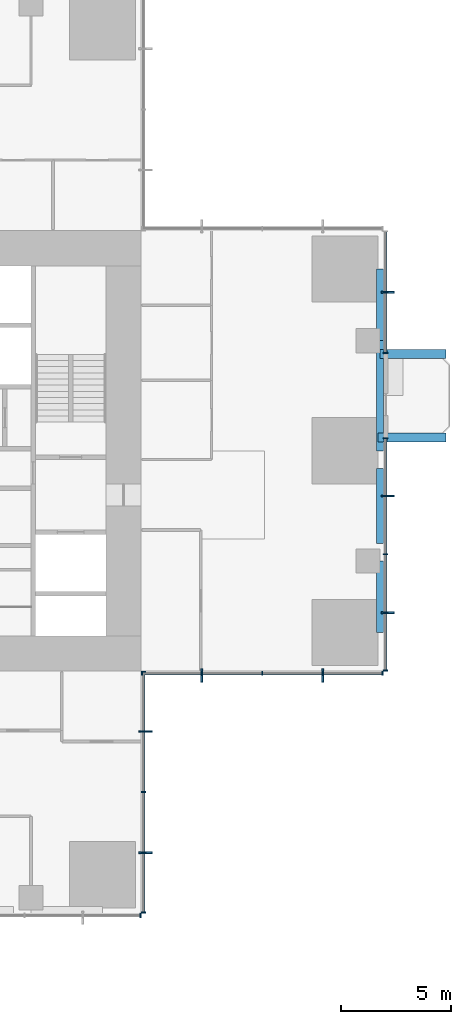
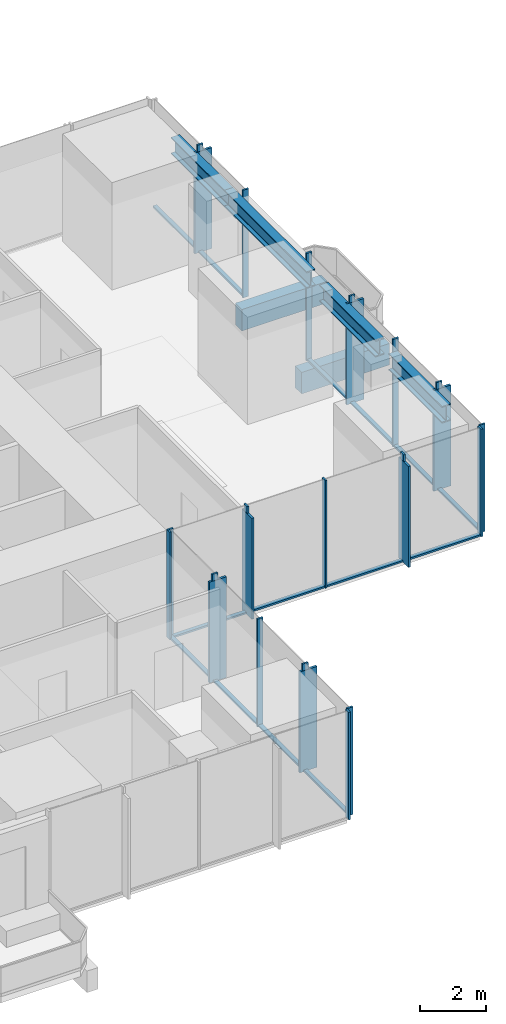
# One storey, part 4 of 13: 39 members, 6 beams, 5 elements without a shape of their own.
"""IFC4 building model written with IfcOpenShell, lengths in metres."""

from ifc_helpers import new_model, si_unit, direction, frame, origin, origin_2d, place, context, subcontext, project, spatial, rectangle, i_section, extrude, material, material_profile, profile_set, type_object, element, aggregate, save


model = new_model("IFC4")

# Units and contexts
model_context = context("Model", 3, precision=1e-05, world=origin(), true_north=direction((0.0, 1.0)))
body_context = subcontext(model_context, "Body", "Model", "MODEL_VIEW")
ifc_project = project(units=[si_unit("LENGTHUNIT", "METRE"), si_unit("AREAUNIT", "SQUARE_METRE"), si_unit("VOLUMEUNIT", "CUBIC_METRE"), si_unit("PLANEANGLEUNIT", "RADIAN"), si_unit("MASSUNIT", "GRAM", prefix="KILO")], contexts=[model_context])

# Site, building, storey
site_placement = place(None, origin())
site = spatial("IfcSite", under=ifc_project, at=site_placement, CompositionType="ELEMENT")
building_placement = place(site_placement, origin())
building = spatial("IfcBuilding", under=site, at=building_placement, Name="Svetlomir Tower", CompositionType="ELEMENT")
storey_placement = place(building_placement, frame((0.0, 0.0, 132.5)))
storey = spatial("IfcBuildingStorey", under=building, at=storey_placement, Name="L31", CompositionType="ELEMENT", Elevation=132.5)

# Beams
ifc_material_1 = material(Name="Concrete C60/75", Category="concrete")
ifc_material_profile_1 = material_profile(ifc_material_1, rectangle(XDim=0.39990234375, YDim=0.800048828125, at=origin_2d()), Name="RC 400x800")
ifc_profile_set_1 = profile_set([ifc_material_profile_1], Name="Concrete C60/75")
beam_type_1 = type_object("IfcBeamType", Name="BALCONY RIB RC 400x800", PredefinedType="BEAM", material=ifc_profile_set_1)
beam_1_placement = place(storey_placement, frame((41.75, 21.60009765625, -0.64990234375), z_axis=(1.0, 0.0, 0.0), x_axis=(0.0, 1.0, 0.0)))
element("IfcBeam", 1, at=beam_1_placement, inside=storey, type_object=beam_type_1, Name="Balcony rib E 1 L31", PredefinedType="BEAM", context=body_context, shape_type="SweptSolid", body=[
    extrude(rectangle(XDim=0.39990234375, YDim=0.800048828125, at=origin_2d()), origin(), (0.0, 0.0, 1.0), 3.10009765625),
])
beam_2_placement = place(storey_placement, frame((41.85009765625, 25.39990234375, -0.64990234375), z_axis=(1.0, 0.0, 0.0), x_axis=(0.0, 1.0, 0.0)))
element("IfcBeam", 2, at=beam_2_placement, inside=storey, type_object=beam_type_1, Name="Balcony rib E 2 L31", PredefinedType="BEAM", context=body_context, shape_type="SweptSolid", body=[
    extrude(rectangle(XDim=0.39990234375, YDim=0.800048828125, at=origin_2d()), origin(), (0.0, 0.0, 1.0), 3.0),
])

# Curtain wall, members
ifc_material_2 = material(Name="Bronze anodised aluminium curtain wall", Category="aluminium")
curtain_wall_type = type_object("IfcCurtainWallType", Name="CURTAIN WALL CW1 TOWER OFFICE", PredefinedType="NOTDEFINED", material=ifc_material_2)
curtain_wall_1_placement = place(storey_placement, origin())
curtain_wall_1 = element("IfcCurtainWall", 3, at=curtain_wall_1_placement, inside=storey, type_object=curtain_wall_type, Name="Curtain wall CW1 L31", PredefinedType="NOTDEFINED")
ifc_material_3 = material(Name="Bronze anodised aluminium", Category="aluminium")
ifc_material_profile_2 = material_profile(ifc_material_3, rectangle(XDim=0.080078125, YDim=0.60009765625, at=origin_2d()), Name="FIN 80x600")
ifc_profile_set_2 = profile_set([ifc_material_profile_2], Name="Bronze anodised aluminium 6063-T6")
member_type_1 = type_object("IfcMemberType", Name="BRONZE FIN 80x600", PredefinedType="USERDEFINED", material=ifc_profile_set_2)
member_1_placement = place(storey_placement, frame((31.199951171875, 2.75, 0.0), z_axis=(0.0, 0.0, 1.0), x_axis=(0.0, 1.0, 0.0)))
member_1 = element("IfcMember", 4, at=member_1_placement, type_object=member_type_1, Name="Bronze fin L31", ObjectType="FIN", PredefinedType="USERDEFINED", context=body_context, shape_type="SweptSolid", body=[
    extrude(rectangle(XDim=0.080078125, YDim=0.60009765625, at=origin_2d()), origin(), (0.0, 0.0, 1.0), 3.75),
])
member_2_placement = place(storey_placement, frame((31.199951171875, 8.25, 0.0), z_axis=(0.0, 0.0, 1.0), x_axis=(0.0, 1.0, 0.0)))
member_2 = element("IfcMember", 5, at=member_2_placement, type_object=member_type_1, Name="Bronze fin L31", ObjectType="FIN", PredefinedType="USERDEFINED", context=body_context, shape_type="SweptSolid", body=[
    extrude(rectangle(XDim=0.080078125, YDim=0.60009765625, at=origin_2d()), origin(), (0.0, 0.0, 1.0), 3.75),
])

curtain_wall_2_placement = place(storey_placement, origin())
curtain_wall_2 = element("IfcCurtainWall", 6, at=curtain_wall_2_placement, inside=storey, type_object=curtain_wall_type, Name="Curtain wall CW1 L31", PredefinedType="NOTDEFINED")
member_3_placement = place(storey_placement, frame((33.75, 10.800048828125, 0.0), z_axis=(0.0, 0.0, 1.0), x_axis=(1.0, 0.0, 0.0)))
member_3 = element("IfcMember", 7, at=member_3_placement, type_object=member_type_1, Name="Bronze fin L31", ObjectType="FIN", PredefinedType="USERDEFINED", context=body_context, shape_type="SweptSolid", body=[
    extrude(rectangle(XDim=0.080078125, YDim=0.60009765625, at=origin_2d()), origin(), (0.0, 0.0, 1.0), 3.75),
])
member_4_placement = place(storey_placement, frame((39.25, 10.800048828125, 0.0), z_axis=(0.0, 0.0, 1.0), x_axis=(1.0, 0.0, 0.0)))
member_4 = element("IfcMember", 8, at=member_4_placement, type_object=member_type_1, Name="Bronze fin L31", ObjectType="FIN", PredefinedType="USERDEFINED", context=body_context, shape_type="SweptSolid", body=[
    extrude(rectangle(XDim=0.080078125, YDim=0.60009765625, at=origin_2d()), origin(), (0.0, 0.0, 1.0), 3.75),
])

curtain_wall_3_placement = place(storey_placement, origin())
curtain_wall_3 = element("IfcCurtainWall", 9, at=curtain_wall_3_placement, inside=storey, type_object=curtain_wall_type, Name="Curtain wall CW1 L31", PredefinedType="NOTDEFINED")
member_5_placement = place(storey_placement, frame((42.199951171875, 13.64990234375, 0.0), z_axis=(0.0, 0.0, 1.0), x_axis=(0.0, 1.0, 0.0)))
member_5 = element("IfcMember", 10, at=member_5_placement, type_object=member_type_1, Name="Bronze fin L31", ObjectType="FIN", PredefinedType="USERDEFINED", context=body_context, shape_type="SweptSolid", body=[
    extrude(rectangle(XDim=0.080078125, YDim=0.60009765625, at=origin_2d()), origin(), (0.0, 0.0, 1.0), 3.75),
])
member_6_placement = place(storey_placement, frame((42.199951171875, 18.949951171875, 0.0), z_axis=(0.0, 0.0, 1.0), x_axis=(0.0, 1.0, 0.0)))
member_6 = element("IfcMember", 11, at=member_6_placement, type_object=member_type_1, Name="Bronze fin L31", ObjectType="FIN", PredefinedType="USERDEFINED", context=body_context, shape_type="SweptSolid", body=[
    extrude(rectangle(XDim=0.080078125, YDim=0.60009765625, at=origin_2d()), origin(), (0.0, 0.0, 1.0), 3.75),
])

# Curtain wall, member
curtain_wall_4_placement = place(storey_placement, origin())
curtain_wall_4 = element("IfcCurtainWall", 12, at=curtain_wall_4_placement, inside=storey, type_object=curtain_wall_type, Name="Curtain wall CW1 L31", PredefinedType="NOTDEFINED")
member_7_placement = place(storey_placement, frame((42.199951171875, 28.199951171875, 0.0), z_axis=(0.0, 0.0, 1.0), x_axis=(0.0, 1.0, 0.0)))
member_7 = element("IfcMember", 13, at=member_7_placement, type_object=member_type_1, Name="Bronze fin L31", ObjectType="FIN", PredefinedType="USERDEFINED", context=body_context, shape_type="SweptSolid", body=[
    extrude(rectangle(XDim=0.080078125, YDim=0.60009765625, at=origin_2d()), origin(), (0.0, 0.0, 1.0), 3.75),
])

curtain_wall_5_placement = place(storey_placement, origin())
curtain_wall_5 = element("IfcCurtainWall", 14, at=curtain_wall_5_placement, inside=storey, type_object=curtain_wall_type, Name="Curtain wall CW1 L31", PredefinedType="NOTDEFINED")
ifc_material_4 = material(Name="Bronze anodised aluminium", Category="aluminium")
ifc_material_profile_3 = material_profile(ifc_material_4, rectangle(XDim=0.06494140625, YDim=0.199951171875, at=origin_2d()), Name="AL 65x200")
ifc_profile_set_3 = profile_set([ifc_material_profile_3], Name="Bronze anodised aluminium 6063-T6")
member_type_2 = type_object("IfcMemberType", Name="CW1 MULLION 65x200", PredefinedType="MULLION", material=ifc_profile_set_3)
member_8_placement = place(storey_placement, frame((30.967529296875, -0.10009765625, 0.0), z_axis=(0.0, 0.0, 1.0), x_axis=(1.0, 0.0, 0.0)))
member_8 = element("IfcMember", 15, at=member_8_placement, type_object=member_type_2, Name="CW1 mullion 5", PredefinedType="MULLION", context=body_context, shape_type="SweptSolid", body=[
    extrude(rectangle(XDim=0.06494140625, YDim=0.199951171875, at=origin_2d()), origin(), (0.0, 0.0, 1.0), 4.0),
])
aggregate(curtain_wall_5, [member_8])

# Member
member_9_placement = place(storey_placement, frame((31.10009765625, 0.032470703125, 0.0), z_axis=(0.0, 0.0, 1.0), x_axis=(0.0, 1.0, 0.0)))
member_9 = element("IfcMember", 16, at=member_9_placement, type_object=member_type_2, Name="CW1 mullion 1", PredefinedType="MULLION", context=body_context, shape_type="SweptSolid", body=[
    extrude(rectangle(XDim=0.06494140625, YDim=0.199951171875, at=origin_2d()), origin(), (0.0, 0.0, 1.0), 4.0),
])

member_10_placement = place(storey_placement, frame((31.10009765625, 2.75, 0.0), z_axis=(0.0, 0.0, 1.0), x_axis=(0.0, 1.0, 0.0)))
member_10 = element("IfcMember", 17, at=member_10_placement, type_object=member_type_2, Name="CW1 mullion 2", PredefinedType="MULLION", context=body_context, shape_type="SweptSolid", body=[
    extrude(rectangle(XDim=0.06494140625, YDim=0.199951171875, at=origin_2d()), origin(), (0.0, 0.0, 1.0), 4.0),
])

member_11_placement = place(storey_placement, frame((31.10009765625, 5.5, 0.0), z_axis=(0.0, 0.0, 1.0), x_axis=(0.0, 1.0, 0.0)))
member_11 = element("IfcMember", 18, at=member_11_placement, type_object=member_type_2, Name="CW1 mullion 3", PredefinedType="MULLION", context=body_context, shape_type="SweptSolid", body=[
    extrude(rectangle(XDim=0.06494140625, YDim=0.199951171875, at=origin_2d()), origin(), (0.0, 0.0, 1.0), 4.0),
])

member_12_placement = place(storey_placement, frame((31.10009765625, 8.25, 0.0), z_axis=(0.0, 0.0, 1.0), x_axis=(0.0, 1.0, 0.0)))
member_12 = element("IfcMember", 19, at=member_12_placement, type_object=member_type_2, Name="CW1 mullion 4", PredefinedType="MULLION", context=body_context, shape_type="SweptSolid", body=[
    extrude(rectangle(XDim=0.06494140625, YDim=0.199951171875, at=origin_2d()), origin(), (0.0, 0.0, 1.0), 4.0),
])

member_13_placement = place(storey_placement, frame((31.10009765625, 10.967529296875, 0.0), z_axis=(0.0, 0.0, 1.0), x_axis=(0.0, 1.0, 0.0)))
member_13 = element("IfcMember", 20, at=member_13_placement, type_object=member_type_2, Name="CW1 mullion 5", PredefinedType="MULLION", context=body_context, shape_type="SweptSolid", body=[
    extrude(rectangle(XDim=0.06494140625, YDim=0.199951171875, at=origin_2d()), origin(), (0.0, 0.0, 1.0), 4.0),
])

member_14_placement = place(storey_placement, frame((31.032470703125, 10.89990234375, 0.0), z_axis=(0.0, 0.0, 1.0), x_axis=(1.0, 0.0, 0.0)))
member_14 = element("IfcMember", 21, at=member_14_placement, type_object=member_type_2, Name="CW1 mullion 1", PredefinedType="MULLION", context=body_context, shape_type="SweptSolid", body=[
    extrude(rectangle(XDim=0.06494140625, YDim=0.199951171875, at=origin_2d()), origin(), (0.0, 0.0, 1.0), 4.0),
])

member_15_placement = place(storey_placement, frame((33.75, 10.89990234375, 0.0), z_axis=(0.0, 0.0, 1.0), x_axis=(1.0, 0.0, 0.0)))
member_15 = element("IfcMember", 22, at=member_15_placement, type_object=member_type_2, Name="CW1 mullion 2", PredefinedType="MULLION", context=body_context, shape_type="SweptSolid", body=[
    extrude(rectangle(XDim=0.06494140625, YDim=0.199951171875, at=origin_2d()), origin(), (0.0, 0.0, 1.0), 4.0),
])

member_16_placement = place(storey_placement, frame((36.5, 10.89990234375, 0.0), z_axis=(0.0, 0.0, 1.0), x_axis=(1.0, 0.0, 0.0)))
member_16 = element("IfcMember", 23, at=member_16_placement, type_object=member_type_2, Name="CW1 mullion 3", PredefinedType="MULLION", context=body_context, shape_type="SweptSolid", body=[
    extrude(rectangle(XDim=0.06494140625, YDim=0.199951171875, at=origin_2d()), origin(), (0.0, 0.0, 1.0), 4.0),
])

member_17_placement = place(storey_placement, frame((39.25, 10.89990234375, 0.0), z_axis=(0.0, 0.0, 1.0), x_axis=(1.0, 0.0, 0.0)))
member_17 = element("IfcMember", 24, at=member_17_placement, type_object=member_type_2, Name="CW1 mullion 4", PredefinedType="MULLION", context=body_context, shape_type="SweptSolid", body=[
    extrude(rectangle(XDim=0.06494140625, YDim=0.199951171875, at=origin_2d()), origin(), (0.0, 0.0, 1.0), 4.0),
])

member_18_placement = place(storey_placement, frame((41.967529296875, 10.89990234375, 0.0), z_axis=(0.0, 0.0, 1.0), x_axis=(1.0, 0.0, 0.0)))
member_18 = element("IfcMember", 25, at=member_18_placement, type_object=member_type_2, Name="CW1 mullion 5", PredefinedType="MULLION", context=body_context, shape_type="SweptSolid", body=[
    extrude(rectangle(XDim=0.06494140625, YDim=0.199951171875, at=origin_2d()), origin(), (0.0, 0.0, 1.0), 4.0),
])

member_19_placement = place(storey_placement, frame((42.10009765625, 11.032470703125, 0.0), z_axis=(0.0, 0.0, 1.0), x_axis=(0.0, 1.0, 0.0)))
member_19 = element("IfcMember", 26, at=member_19_placement, type_object=member_type_2, Name="CW1 mullion 1", PredefinedType="MULLION", context=body_context, shape_type="SweptSolid", body=[
    extrude(rectangle(XDim=0.06494140625, YDim=0.199951171875, at=origin_2d()), origin(), (0.0, 0.0, 1.0), 4.0),
])

member_20_placement = place(storey_placement, frame((42.10009765625, 13.64990234375, 0.0), z_axis=(0.0, 0.0, 1.0), x_axis=(0.0, 1.0, 0.0)))
member_20 = element("IfcMember", 27, at=member_20_placement, type_object=member_type_2, Name="CW1 mullion 2", PredefinedType="MULLION", context=body_context, shape_type="SweptSolid", body=[
    extrude(rectangle(XDim=0.06494140625, YDim=0.199951171875, at=origin_2d()), origin(), (0.0, 0.0, 1.0), 4.0),
])

member_21_placement = place(storey_placement, frame((42.10009765625, 16.300048828125, 0.0), z_axis=(0.0, 0.0, 1.0), x_axis=(0.0, 1.0, 0.0)))
member_21 = element("IfcMember", 28, at=member_21_placement, type_object=member_type_2, Name="CW1 mullion 3", PredefinedType="MULLION", context=body_context, shape_type="SweptSolid", body=[
    extrude(rectangle(XDim=0.06494140625, YDim=0.199951171875, at=origin_2d()), origin(), (0.0, 0.0, 1.0), 4.0),
])

member_22_placement = place(storey_placement, frame((42.10009765625, 18.949951171875, 0.0), z_axis=(0.0, 0.0, 1.0), x_axis=(0.0, 1.0, 0.0)))
member_22 = element("IfcMember", 29, at=member_22_placement, type_object=member_type_2, Name="CW1 mullion 4", PredefinedType="MULLION", context=body_context, shape_type="SweptSolid", body=[
    extrude(rectangle(XDim=0.06494140625, YDim=0.199951171875, at=origin_2d()), origin(), (0.0, 0.0, 1.0), 4.0),
])

member_23_placement = place(storey_placement, frame((42.10009765625, 21.5673828125, 0.0), z_axis=(0.0, 0.0, 1.0), x_axis=(0.0, 1.0, 0.0)))
member_23 = element("IfcMember", 30, at=member_23_placement, type_object=member_type_2, Name="CW1 mullion 5", PredefinedType="MULLION", context=body_context, shape_type="SweptSolid", body=[
    extrude(rectangle(XDim=0.06494140625, YDim=0.199951171875, at=origin_2d()), origin(), (0.0, 0.0, 1.0), 4.0),
])

member_24_placement = place(storey_placement, frame((42.10009765625, 25.4326171875, 0.0), z_axis=(0.0, 0.0, 1.0), x_axis=(0.0, 1.0, 0.0)))
member_24 = element("IfcMember", 31, at=member_24_placement, type_object=member_type_2, Name="CW1 mullion 1", PredefinedType="MULLION", context=body_context, shape_type="SweptSolid", body=[
    extrude(rectangle(XDim=0.06494140625, YDim=0.199951171875, at=origin_2d()), origin(), (0.0, 0.0, 1.0), 4.0),
])

member_25_placement = place(storey_placement, frame((42.10009765625, 28.199951171875, 0.0), z_axis=(0.0, 0.0, 1.0), x_axis=(0.0, 1.0, 0.0)))
member_25 = element("IfcMember", 32, at=member_25_placement, type_object=member_type_2, Name="CW1 mullion 2", PredefinedType="MULLION", context=body_context, shape_type="SweptSolid", body=[
    extrude(rectangle(XDim=0.06494140625, YDim=0.199951171875, at=origin_2d()), origin(), (0.0, 0.0, 1.0), 4.0),
])

ifc_material_5 = material(Name="Bronze anodised aluminium", Category="aluminium")
ifc_material_profile_4 = material_profile(ifc_material_5, rectangle(XDim=0.139892578125, YDim=0.06494140625, at=origin_2d()), Name="AL 140x65")
ifc_profile_set_4 = profile_set([ifc_material_profile_4], Name="Bronze anodised aluminium 6063-T6")
member_type_3 = type_object("IfcMemberType", Name="CW1 TRANSOM 65x140", PredefinedType="USERDEFINED", material=ifc_profile_set_4)
member_26_placement = place(storey_placement, frame((31.10009765625, 0.06494140625, 0.032470703125), z_axis=(0.0, 1.0, 0.0), x_axis=(-1.0, 0.0, 0.0)))
member_26 = element("IfcMember", 33, at=member_26_placement, type_object=member_type_3, Name="CW1 transom 1.1", ObjectType="TRANSOM", PredefinedType="USERDEFINED", context=body_context, shape_type="SweptSolid", body=[
    extrude(rectangle(XDim=0.139892578125, YDim=0.06494140625, at=origin_2d()), origin(), (0.0, 0.0, 1.0), 2.652587890625),
])

member_27_placement = place(storey_placement, frame((31.10009765625, 2.782470703125, 0.032470703125), z_axis=(0.0, 1.0, 0.0), x_axis=(-1.0, 0.0, 0.0)))
member_27 = element("IfcMember", 34, at=member_27_placement, type_object=member_type_3, Name="CW1 transom 2.1", ObjectType="TRANSOM", PredefinedType="USERDEFINED", context=body_context, shape_type="SweptSolid", body=[
    extrude(rectangle(XDim=0.139892578125, YDim=0.06494140625, at=origin_2d()), origin(), (0.0, 0.0, 1.0), 2.68505859375),
])

member_28_placement = place(storey_placement, frame((31.10009765625, 5.532470703125, 0.032470703125), z_axis=(0.0, 1.0, 0.0), x_axis=(-1.0, 0.0, 0.0)))
member_28 = element("IfcMember", 35, at=member_28_placement, type_object=member_type_3, Name="CW1 transom 3.1", ObjectType="TRANSOM", PredefinedType="USERDEFINED", context=body_context, shape_type="SweptSolid", body=[
    extrude(rectangle(XDim=0.139892578125, YDim=0.06494140625, at=origin_2d()), origin(), (0.0, 0.0, 1.0), 2.68505859375),
])

member_29_placement = place(storey_placement, frame((31.10009765625, 8.282470703125, 0.032470703125), z_axis=(0.0, 1.0, 0.0), x_axis=(-1.0, 0.0, 0.0)))
member_29 = element("IfcMember", 36, at=member_29_placement, type_object=member_type_3, Name="CW1 transom 4.1", ObjectType="TRANSOM", PredefinedType="USERDEFINED", context=body_context, shape_type="SweptSolid", body=[
    extrude(rectangle(XDim=0.139892578125, YDim=0.06494140625, at=origin_2d()), origin(), (0.0, 0.0, 1.0), 2.652587890625),
])

aggregate(curtain_wall_1, [member_9, member_10, member_11, member_12, member_13, member_26, member_27, member_28, member_29, member_1, member_2])

member_30_placement = place(storey_placement, frame((31.06494140625, 10.89990234375, 0.032470703125), z_axis=(1.0, 0.0, 0.0), x_axis=(0.0, 1.0, 0.0)))
member_30 = element("IfcMember", 37, at=member_30_placement, type_object=member_type_3, Name="CW1 transom 1.1", ObjectType="TRANSOM", PredefinedType="USERDEFINED", context=body_context, shape_type="SweptSolid", body=[
    extrude(rectangle(XDim=0.139892578125, YDim=0.06494140625, at=origin_2d()), origin(), (0.0, 0.0, 1.0), 2.652587890625),
])

member_31_placement = place(storey_placement, frame((33.782470703125, 10.89990234375, 0.032470703125), z_axis=(1.0, 0.0, 0.0), x_axis=(0.0, 1.0, 0.0)))
member_31 = element("IfcMember", 38, at=member_31_placement, type_object=member_type_3, Name="CW1 transom 2.1", ObjectType="TRANSOM", PredefinedType="USERDEFINED", context=body_context, shape_type="SweptSolid", body=[
    extrude(rectangle(XDim=0.139892578125, YDim=0.06494140625, at=origin_2d()), origin(), (0.0, 0.0, 1.0), 2.68505859375),
])

member_32_placement = place(storey_placement, frame((36.532470703125, 10.89990234375, 0.032470703125), z_axis=(1.0, 0.0, 0.0), x_axis=(0.0, 1.0, 0.0)))
member_32 = element("IfcMember", 39, at=member_32_placement, type_object=member_type_3, Name="CW1 transom 3.1", ObjectType="TRANSOM", PredefinedType="USERDEFINED", context=body_context, shape_type="SweptSolid", body=[
    extrude(rectangle(XDim=0.139892578125, YDim=0.06494140625, at=origin_2d()), origin(), (0.0, 0.0, 1.0), 2.68505859375),
])

member_33_placement = place(storey_placement, frame((39.282470703125, 10.89990234375, 0.032470703125), z_axis=(1.0, 0.0, 0.0), x_axis=(0.0, 1.0, 0.0)))
member_33 = element("IfcMember", 40, at=member_33_placement, type_object=member_type_3, Name="CW1 transom 4.1", ObjectType="TRANSOM", PredefinedType="USERDEFINED", context=body_context, shape_type="SweptSolid", body=[
    extrude(rectangle(XDim=0.139892578125, YDim=0.06494140625, at=origin_2d()), origin(), (0.0, 0.0, 1.0), 2.652587890625),
])

aggregate(curtain_wall_2, [member_14, member_15, member_16, member_17, member_18, member_30, member_31, member_32, member_33, member_3, member_4])

member_34_placement = place(storey_placement, frame((42.10009765625, 11.06494140625, 0.032470703125), z_axis=(0.0, 1.0, 0.0), x_axis=(-1.0, 0.0, 0.0)))
member_34 = element("IfcMember", 41, at=member_34_placement, type_object=member_type_3, Name="CW1 transom 1.1", ObjectType="TRANSOM", PredefinedType="USERDEFINED", context=body_context, shape_type="SweptSolid", body=[
    extrude(rectangle(XDim=0.139892578125, YDim=0.06494140625, at=origin_2d()), origin(), (0.0, 0.0, 1.0), 2.552490234375),
])

member_35_placement = place(storey_placement, frame((42.10009765625, 13.6826171875, 0.032470703125), z_axis=(0.0, 1.0, 0.0), x_axis=(-1.0, 0.0, 0.0)))
member_35 = element("IfcMember", 42, at=member_35_placement, type_object=member_type_3, Name="CW1 transom 2.1", ObjectType="TRANSOM", PredefinedType="USERDEFINED", context=body_context, shape_type="SweptSolid", body=[
    extrude(rectangle(XDim=0.139892578125, YDim=0.06494140625, at=origin_2d()), origin(), (0.0, 0.0, 1.0), 2.5849609375),
])

member_36_placement = place(storey_placement, frame((42.10009765625, 16.33251953125, 0.032470703125), z_axis=(0.0, 1.0, 0.0), x_axis=(-1.0, 0.0, 0.0)))
member_36 = element("IfcMember", 43, at=member_36_placement, type_object=member_type_3, Name="CW1 transom 3.1", ObjectType="TRANSOM", PredefinedType="USERDEFINED", context=body_context, shape_type="SweptSolid", body=[
    extrude(rectangle(XDim=0.139892578125, YDim=0.06494140625, at=origin_2d()), origin(), (0.0, 0.0, 1.0), 2.5849609375),
])

member_37_placement = place(storey_placement, frame((42.10009765625, 18.982421875, 0.032470703125), z_axis=(0.0, 1.0, 0.0), x_axis=(-1.0, 0.0, 0.0)))
member_37 = element("IfcMember", 44, at=member_37_placement, type_object=member_type_3, Name="CW1 transom 4.1", ObjectType="TRANSOM", PredefinedType="USERDEFINED", context=body_context, shape_type="SweptSolid", body=[
    extrude(rectangle(XDim=0.139892578125, YDim=0.06494140625, at=origin_2d()), origin(), (0.0, 0.0, 1.0), 2.552490234375),
])

aggregate(curtain_wall_3, [member_19, member_20, member_21, member_22, member_23, member_34, member_35, member_36, member_37, member_5, member_6])

member_38_placement = place(storey_placement, frame((42.10009765625, 25.465087890625, 0.032470703125), z_axis=(0.0, 1.0, 0.0), x_axis=(-1.0, 0.0, 0.0)))
member_38 = element("IfcMember", 45, at=member_38_placement, type_object=member_type_3, Name="CW1 transom 1.1", ObjectType="TRANSOM", PredefinedType="USERDEFINED", context=body_context, shape_type="SweptSolid", body=[
    extrude(rectangle(XDim=0.139892578125, YDim=0.06494140625, at=origin_2d()), origin(), (0.0, 0.0, 1.0), 2.702392578125),
])

member_39_placement = place(storey_placement, frame((42.10009765625, 28.232421875, 0.032470703125), z_axis=(0.0, 1.0, 0.0), x_axis=(-1.0, 0.0, 0.0)))
member_39 = element("IfcMember", 46, at=member_39_placement, type_object=member_type_3, Name="CW1 transom 2.1", ObjectType="TRANSOM", PredefinedType="USERDEFINED", context=body_context, shape_type="SweptSolid", body=[
    extrude(rectangle(XDim=0.139892578125, YDim=0.06494140625, at=origin_2d()), origin(), (0.0, 0.0, 1.0), 2.70263671875),
])

aggregate(curtain_wall_4, [member_24, member_25, member_38, member_39, member_7])

# Beams
ifc_material_6 = material(Name="Steel S355", Category="steel")
ifc_material_profile_5 = material_profile(ifc_material_6, i_section(OverallWidth=0.304931640625, OverallDepth=0.6201171875, WebThickness=0.02099609375, FlangeThickness=0.0400390625, FilletRadius=0.027099609375, at=origin_2d()), Name="HEM 600")
ifc_profile_set_5 = profile_set([ifc_material_profile_5], Name="Steel S355")
beam_type_2 = type_object("IfcBeamType", Name="EDGE BEAM HEM 600", PredefinedType="SPANDREL", material=ifc_profile_set_5)
beam_3_placement = place(storey_placement, frame((41.847412109375, 12.75, 3.43994140625), z_axis=(0.0, 1.0, 0.0), x_axis=(-1.0, 0.0, 0.0)))
element("IfcBeam", 47, at=beam_3_placement, inside=storey, type_object=beam_type_2, Name="Edge beam 42/11 to 42/16 under L32", PredefinedType="SPANDREL", context=body_context, shape_type="SweptSolid", body=[
    extrude(i_section(OverallWidth=0.304931640625, OverallDepth=0.6201171875, WebThickness=0.02099609375, FlangeThickness=0.0400390625, FilletRadius=0.027099609375, at=origin_2d()), origin(), (0.0, 0.0, 1.0), 3.25),
])
beam_4_placement = place(storey_placement, frame((41.847412109375, 16.800048828125, 3.43994140625), z_axis=(0.0, 1.0, 0.0), x_axis=(-1.0, 0.0, 0.0)))
element("IfcBeam", 48, at=beam_4_placement, inside=storey, type_object=beam_type_2, Name="Edge beam 42/16 to 42/21 under L32", PredefinedType="SPANDREL", context=body_context, shape_type="SweptSolid", body=[
    extrude(i_section(OverallWidth=0.304931640625, OverallDepth=0.6201171875, WebThickness=0.02099609375, FlangeThickness=0.0400390625, FilletRadius=0.027099609375, at=origin_2d()), origin(), (0.0, 0.0, 1.0), 3.39990234375),
])
beam_5_placement = place(storey_placement, frame((41.847412109375, 21.0, 3.43994140625), z_axis=(0.0, 1.0, 0.0), x_axis=(-1.0, 0.0, 0.0)))
element("IfcBeam", 49, at=beam_5_placement, inside=storey, type_object=beam_type_2, Name="Edge beam 42/21 to 42/26 under L32", PredefinedType="SPANDREL", context=body_context, shape_type="SweptSolid", body=[
    extrude(i_section(OverallWidth=0.304931640625, OverallDepth=0.6201171875, WebThickness=0.02099609375, FlangeThickness=0.0400390625, FilletRadius=0.027099609375, at=origin_2d()), origin(), (0.0, 0.0, 1.0), 5.0),
])
beam_6_placement = place(storey_placement, frame((41.847412109375, 26.0, 3.43994140625), z_axis=(0.0, 1.0, 0.0), x_axis=(-1.0, 0.0, 0.0)))
element("IfcBeam", 50, at=beam_6_placement, inside=storey, type_object=beam_type_2, Name="Edge beam 42/26 to 42/31 under L32", PredefinedType="SPANDREL", context=body_context, shape_type="SweptSolid", body=[
    extrude(i_section(OverallWidth=0.304931640625, OverallDepth=0.6201171875, WebThickness=0.02099609375, FlangeThickness=0.0400390625, FilletRadius=0.027099609375, at=origin_2d()), origin(), (0.0, 0.0, 1.0), 3.25),
])

save(model, "model.ifc")
